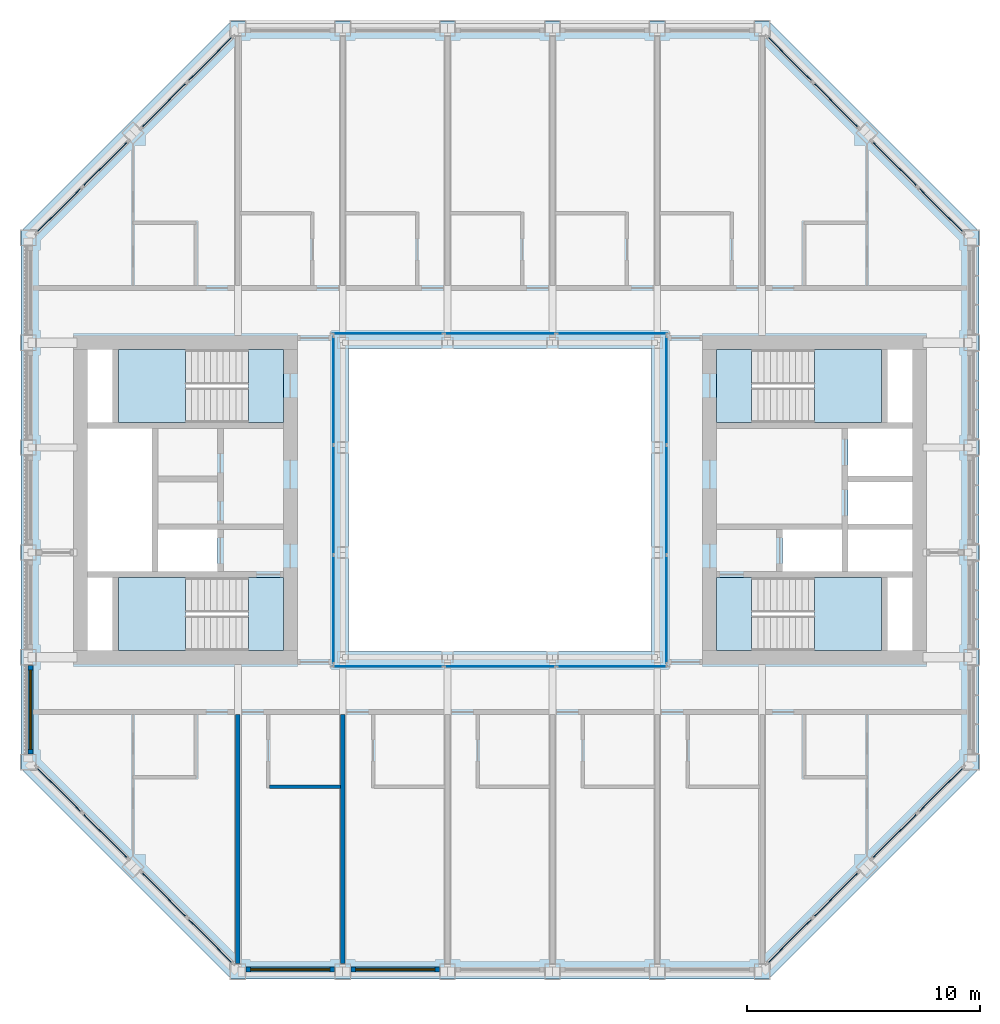
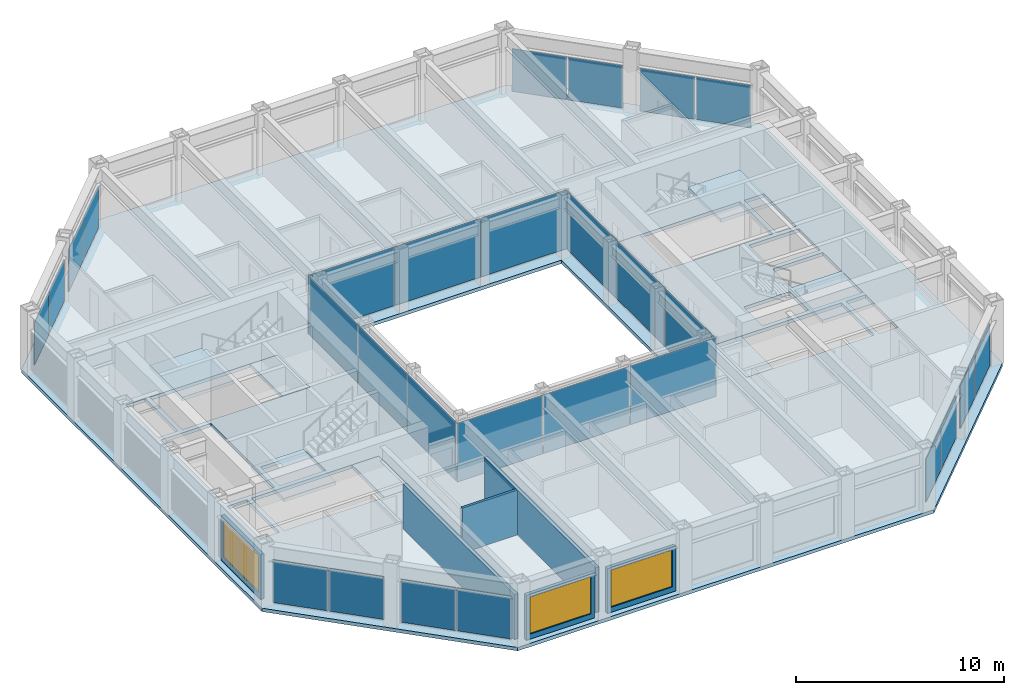
# One storey, part 8 of 18: 28 plates, 9 slabs, 6 walls, 3 windows, 3 openings, 16 elements without a shape of their own.
"""IFC4 building model written with IfcOpenShell, lengths in metres."""

import ifcopenshell
import ifcopenshell.guid

model = None  # the IFC model being written
_history = None  # IfcOwnerHistory: only IFC2X3 demands one
_inside = {}  # id of a spatial element -> (the spatial element, [elements in it])
_under = {}  # id of a project, library or spatial element -> (it, [spatial elements below it])
_declared = {}  # id of a project -> (the project, [libraries it declares])
_typed = {}  # id of a type object -> (the type object, [elements of that type])
_made_of = {}  # id of a material, layer set ... -> (it, [elements and type objects made of it])


def new_model(schema):
    """Start an empty IFC model of exactly this schema.

    Asked for "IFC4X3", IfcOpenShell would pick the latest addendum, in which some entities
    have other attributes; the version numbers below select the first issue.
    IFC2X3 requires an IfcOwnerHistory on every rooted entity: one is made here for all.
    """
    global model, _history
    if schema == "IFC4X3":
        model = ifcopenshell.file(schema_version=(4, 3, 0, 0))
    else:
        model = ifcopenshell.file(schema=schema)
    _inside.clear()
    _under.clear()
    _declared.clear()
    _typed.clear()
    _made_of.clear()
    _history = None
    if model.schema == "IFC2X3":
        org = make("IfcOrganization", Name="unknown")
        user = make(
            "IfcPersonAndOrganization",
            ThePerson=make("IfcPerson", FamilyName="unknown"),
            TheOrganization=org,
        )
        app = make(
            "IfcApplication",
            ApplicationDeveloper=org,
            Version="unknown",
            ApplicationFullName="unknown",
            ApplicationIdentifier="unknown",
        )
        _history = make(
            "IfcOwnerHistory",
            OwningUser=user,
            OwningApplication=app,
            ChangeAction="ADDED",
            CreationDate=0,
        )
    return model


def make(cls, **values):
    """One entity of the class cls with the attributes given. An attribute that is None is left unset."""
    return model.create_entity(
        cls, **{name: value for name, value in values.items() if value is not None}
    )


def rooted(cls, **values):
    """An entity with a GlobalId (a new one), such as an element, a storey or a relation."""
    return make(cls, GlobalId=ifcopenshell.guid.new(), OwnerHistory=_history, **values)


def si_unit(unit_type, name, prefix=None):
    """IfcSIUnit, for example si_unit("LENGTHUNIT", "METRE", prefix="MILLI")."""
    return make("IfcSIUnit", UnitType=unit_type, Prefix=prefix, Name=name)


def assignment(units):
    """IfcUnitAssignment: the units of a project."""
    return None if units is None else make("IfcUnitAssignment", Units=units)


def point(xyz):
    """IfcCartesianPoint."""
    return None if xyz is None else make("IfcCartesianPoint", Coordinates=xyz)


def direction(xyz):
    """IfcDirection."""
    return None if xyz is None else make("IfcDirection", DirectionRatios=xyz)


def frame(location, z_axis=None, x_axis=None):
    """IfcAxis2Placement3D, a coordinate frame: its origin and axes. An axis left out is left unset."""
    return make(
        "IfcAxis2Placement3D",
        Location=point(location),
        Axis=direction(z_axis),
        RefDirection=direction(x_axis),
    )


def frame_2d(location, x_axis=None):
    """IfcAxis2Placement2D, a coordinate frame in the plane: its origin and x axis."""
    return make(
        "IfcAxis2Placement2D", Location=point(location), RefDirection=direction(x_axis)
    )


def origin():
    """The frame at (0, 0, 0) with its axes left unset."""
    return frame((0.0, 0.0, 0.0))


def origin_2d():
    """The frame at (0, 0) in the plane with its x axis left unset."""
    return frame_2d((0.0, 0.0))


def place(relative_to, where):
    """IfcLocalPlacement: puts the frame where relative to a parent placement (None: the world)."""
    return make(
        "IfcLocalPlacement", PlacementRelTo=relative_to, RelativePlacement=where
    )


def context(
    kind, dimensions, precision=None, world=None, true_north=None, identifier=None
):
    """IfcGeometricRepresentationContext, for example the 3D "Model" context."""
    return make(
        "IfcGeometricRepresentationContext",
        ContextIdentifier=identifier,
        ContextType=kind,
        CoordinateSpaceDimension=dimensions,
        Precision=precision,
        WorldCoordinateSystem=world,
        TrueNorth=true_north,
    )


def subcontext(parent, identifier, kind, view, scale=None):
    """IfcGeometricRepresentationSubContext, for example "Body" below "Model"."""
    return make(
        "IfcGeometricRepresentationSubContext",
        ContextIdentifier=identifier,
        ContextType=kind,
        ParentContext=parent,
        TargetScale=scale,
        TargetView=view,
    )


def project(units=None, contexts=None):
    """IfcProject with its units and contexts."""
    return rooted(
        "IfcProject",
        Name="project",
        RepresentationContexts=contexts,
        UnitsInContext=assignment(units),
    )


def spatial(cls, under=None, at=None, **own):
    """A site, building, storey or space (cls), placed at a placement, below another one or the project."""
    s = rooted(cls, ObjectPlacement=at, **own)
    if under is not None:
        _under.setdefault(under.id(), (under, []))[1].append(s)
    return s


def polyline(points):
    """IfcPolyline through the points."""
    return make("IfcPolyline", Points=[point(p) for p in points])


def profile(cls, at=None, kind="AREA", **sizes):
    """A parametric profile (cls). Its sizes go by their IFC names, for example OverallWidth=200.0."""
    return make(cls, ProfileType=kind, Position=at, **sizes)


def rectangle(**sizes):
    """IfcRectangleProfileDef."""
    return profile("IfcRectangleProfileDef", **sizes)


def outline(outer, holes=None, kind="AREA"):
    """IfcArbitraryClosedProfileDef: a profile drawn as a closed curve; with holes, ...WithVoids."""
    if holes is None:
        return make("IfcArbitraryClosedProfileDef", ProfileType=kind, OuterCurve=outer)
    return make(
        "IfcArbitraryProfileDefWithVoids",
        ProfileType=kind,
        OuterCurve=outer,
        InnerCurves=holes,
    )


def extrude(swept, where, along, depth):
    """IfcExtrudedAreaSolid: the profile swept, set in the frame where, extruded along a direction by depth."""
    return make(
        "IfcExtrudedAreaSolid",
        SweptArea=swept,
        Position=where,
        ExtrudedDirection=direction(along),
        Depth=depth,
    )


def shape(context_of_items, identifier, shape_type, items):
    """IfcShapeRepresentation: the items that make up one representation, for example the "Body"."""
    return make(
        "IfcShapeRepresentation",
        ContextOfItems=context_of_items,
        RepresentationIdentifier=identifier,
        RepresentationType=shape_type,
        Items=items,
    )


def material(Name=None, Category=None):
    """IfcMaterial."""
    return make("IfcMaterial", Name=Name, Category=Category)


def layer(
    of_material, thickness, ventilated=None, Name=None, Category=None, Priority=None
):
    """IfcMaterialLayer: one layer of a wall or slab, of a material (None: an air gap)."""
    return make(
        "IfcMaterialLayer",
        Material=of_material,
        LayerThickness=thickness,
        IsVentilated=ventilated,
        Name=Name,
        Category=Category,
        Priority=Priority,
    )


def layer_set(layers, Name=None):
    """IfcMaterialLayerSet."""
    return make("IfcMaterialLayerSet", MaterialLayers=layers, LayerSetName=Name)


def made_of(thing, what):
    """Note that an element or type object is made of a material, layer set ...; save() writes the relation."""
    if what is not None:
        _made_of.setdefault(what.id(), (what, []))[1].append(thing)
    return thing


def type_object(cls, material=None, **own):
    """A type object (cls), such as IfcWallType, which elements share."""
    return made_of(rooted(cls, **own), material)


def element(
    cls,
    number,
    at=None,
    inside=None,
    cuts=None,
    type_object=None,
    material=None,
    context=None,
    identifier="Body",
    shape_type=None,
    held_by="IfcProductDefinitionShape",
    body=None,
    shapes=None,
    **own,
):
    """One element of the class cls, such as IfcWall. Its Tag is "e" and its number.

    at: its placement. inside: the storey or other place that contains it. cuts: it is an
    opening in that element (IfcRelVoidsElement). A single representation is given by context,
    identifier, shape_type and body (its items); several are given by shapes. held_by: the class
    of the entity that holds the representations. save() writes the other relations.
    """
    e = rooted(cls, Tag="e%d" % number, ObjectPlacement=at, **own)
    if body is not None:
        shapes = [shape(context, identifier, shape_type, body)]
    if shapes is not None:
        e.Representation = make(held_by, Representations=shapes)
    if inside is not None:
        _inside.setdefault(inside.id(), (inside, []))[1].append(e)
    if cuts is not None:
        rooted(
            "IfcRelVoidsElement", RelatingBuildingElement=cuts, RelatedOpeningElement=e
        )
    if type_object is not None:
        _typed.setdefault(type_object.id(), (type_object, []))[1].append(e)
    return made_of(e, material)


def fill(opening, filler):
    """IfcRelFillsElement: the door or window that sits in an opening."""
    return rooted(
        "IfcRelFillsElement",
        RelatingOpeningElement=opening,
        RelatedBuildingElement=filler,
    )


def aggregate(whole, parts):
    """IfcRelAggregates: a whole, such as a stair, and the parts it consists of."""
    return rooted("IfcRelAggregates", RelatingObject=whole, RelatedObjects=parts)


def save(model, path):
    """Write the relations noted so far, then the file.

    IfcRelAggregates (storeys below a building ...), IfcRelContainedInSpatialStructure (elements
    in a storey), IfcRelDefinesByType, IfcRelAssociatesMaterial and IfcRelDeclares: one each for
    every whole, place, type object, material and project.
    """
    for whole, parts in _under.values():
        aggregate(whole, parts)
    for where, things in _inside.values():
        rooted(
            "IfcRelContainedInSpatialStructure",
            RelatedElements=things,
            RelatingStructure=where,
        )
    for kind, things in _typed.values():
        rooted("IfcRelDefinesByType", RelatedObjects=things, RelatingType=kind)
    for what, things in _made_of.values():
        rooted("IfcRelAssociatesMaterial", RelatedObjects=things, RelatingMaterial=what)
    for by, libraries in _declared.values():
        rooted("IfcRelDeclares", RelatingContext=by, RelatedDefinitions=libraries)
    model.write(path)


model = new_model("IFC4")

# Units and contexts
model_context = context("Model", 3, precision=1e-05, world=origin(), true_north=direction((0.0, 1.0)))
body_context = subcontext(model_context, "Body", "Model", "MODEL_VIEW")
ifc_project = project(units=[si_unit("LENGTHUNIT", "METRE"), si_unit("AREAUNIT", "SQUARE_METRE"), si_unit("VOLUMEUNIT", "CUBIC_METRE"), si_unit("PLANEANGLEUNIT", "RADIAN"), si_unit("MASSUNIT", "GRAM", prefix="KILO")], contexts=[model_context])

# Site, building, storey
site_placement = place(None, origin())
site = spatial("IfcSite", under=ifc_project, at=site_placement, CompositionType="ELEMENT")
building_placement = place(site_placement, origin())
building = spatial("IfcBuilding", under=site, at=building_placement, Name="Msasa Ring Tower", CompositionType="ELEMENT")
storey_placement = place(building_placement, frame((0.0, 0.0, 204.550048828125)))
storey = spatial("IfcBuildingStorey", under=building, at=storey_placement, Name="L53", CompositionType="ELEMENT", Elevation=204.550048828125)

# Curtain wall, plates
ifc_material_1 = material(Name="Aluminium curtain wall with clear glass", Category="aluminium")
curtain_wall_type_1 = type_object("IfcCurtainWallType", Name="CW-C CHAMFER CORNER CURTAIN WALL", PredefinedType="NOTDEFINED", material=ifc_material_1)
curtain_wall_1_placement = place(storey_placement, origin())
curtain_wall_1 = element("IfcCurtainWall", 1, at=curtain_wall_1_placement, inside=storey, type_object=curtain_wall_type_1, Name="Chamfer corner curtain wall SE L53", PredefinedType="NOTDEFINED")
ifc_material_2 = material(Name="Clear laminated insulating glass unit", Category="glass")
ifc_layer_1 = layer(ifc_material_2, 0.031982421875)
ifc_layer_set_1 = layer_set([ifc_layer_1], Name="CW-C GLASS PANEL 32")
plate_type_1 = type_object("IfcPlateType", Name="CW-C GLASS PANEL 32", PredefinedType="CURTAIN_PANEL", material=ifc_layer_set_1)
plate_1_placement = place(storey_placement, frame((12.44140625, -18.917236328125, 0.06494140625), z_axis=(0.0, 0.0, 1.0), x_axis=(0.707106781187, 0.707106781187, 0.0)))
plate_1 = element("IfcPlate", 2, at=plate_1_placement, type_object=plate_type_1, Name="CW-C panel 1.1", PredefinedType="CURTAIN_PANEL", context=body_context, shape_type="SweptSolid", body=[
    extrude(rectangle(XDim=2.7294921875, YDim=0.031982421875, at=origin_2d()), origin(), (0.0, 0.0, 1.0), 2.4990234375),
])
plate_2_placement = place(storey_placement, frame((14.417236328125, -16.94140625, 0.06494140625), z_axis=(0.0, 0.0, 1.0), x_axis=(0.707106781187, 0.707106781187, 0.0)))
plate_2 = element("IfcPlate", 3, at=plate_2_placement, type_object=plate_type_1, Name="CW-C panel 2.1", PredefinedType="CURTAIN_PANEL", context=body_context, shape_type="SweptSolid", body=[
    extrude(rectangle(XDim=2.7294921875, YDim=0.031982421875, at=origin_2d()), origin(), (0.0, 0.0, 1.0), 2.4990234375),
])
aggregate(curtain_wall_1, [plate_1, plate_2])

curtain_wall_2_placement = place(storey_placement, origin())
curtain_wall_2 = element("IfcCurtainWall", 4, at=curtain_wall_2_placement, inside=storey, type_object=curtain_wall_type_1, Name="Chamfer corner curtain wall SE L53", PredefinedType="NOTDEFINED")
plate_3_placement = place(storey_placement, frame((16.94140625, -14.417236328125, 0.06494140625), z_axis=(0.0, 0.0, 1.0), x_axis=(0.707106781187, 0.707106781187, 0.0)))
plate_3 = element("IfcPlate", 5, at=plate_3_placement, type_object=plate_type_1, Name="CW-C panel 1.1", PredefinedType="CURTAIN_PANEL", context=body_context, shape_type="SweptSolid", body=[
    extrude(rectangle(XDim=2.7294921875, YDim=0.031982421875, at=origin_2d()), origin(), (0.0, 0.0, 1.0), 2.4990234375),
])
plate_4_placement = place(storey_placement, frame((18.917236328125, -12.44140625, 0.06494140625), z_axis=(0.0, 0.0, 1.0), x_axis=(0.707106781187, 0.707106781187, 0.0)))
plate_4 = element("IfcPlate", 6, at=plate_4_placement, type_object=plate_type_1, Name="CW-C panel 2.1", PredefinedType="CURTAIN_PANEL", context=body_context, shape_type="SweptSolid", body=[
    extrude(rectangle(XDim=2.7294921875, YDim=0.031982421875, at=origin_2d()), origin(), (0.0, 0.0, 1.0), 2.4990234375),
])
aggregate(curtain_wall_2, [plate_3, plate_4])

curtain_wall_3_placement = place(storey_placement, origin())
curtain_wall_3 = element("IfcCurtainWall", 7, at=curtain_wall_3_placement, inside=storey, type_object=curtain_wall_type_1, Name="Chamfer corner curtain wall NE L53", PredefinedType="NOTDEFINED")
plate_5_placement = place(storey_placement, frame((14.417236328125, 16.94140625, 0.06494140625), z_axis=(0.0, 0.0, 1.0), x_axis=(-0.707106781187, 0.707106781187, 0.0)))
plate_5 = element("IfcPlate", 8, at=plate_5_placement, type_object=plate_type_1, Name="CW-C panel 1.1", PredefinedType="CURTAIN_PANEL", context=body_context, shape_type="SweptSolid", body=[
    extrude(rectangle(XDim=2.7294921875, YDim=0.031982421875, at=origin_2d()), origin(), (0.0, 0.0, 1.0), 2.4990234375),
])
plate_6_placement = place(storey_placement, frame((12.44140625, 18.917236328125, 0.06494140625), z_axis=(0.0, 0.0, 1.0), x_axis=(-0.707106781187, 0.707106781187, 0.0)))
plate_6 = element("IfcPlate", 9, at=plate_6_placement, type_object=plate_type_1, Name="CW-C panel 2.1", PredefinedType="CURTAIN_PANEL", context=body_context, shape_type="SweptSolid", body=[
    extrude(rectangle(XDim=2.7294921875, YDim=0.031982421875, at=origin_2d()), origin(), (0.0, 0.0, 1.0), 2.4990234375),
])
aggregate(curtain_wall_3, [plate_5, plate_6])

curtain_wall_4_placement = place(storey_placement, origin())
curtain_wall_4 = element("IfcCurtainWall", 10, at=curtain_wall_4_placement, inside=storey, type_object=curtain_wall_type_1, Name="Chamfer corner curtain wall NE L53", PredefinedType="NOTDEFINED")
plate_7_placement = place(storey_placement, frame((18.917236328125, 12.44140625, 0.06494140625), z_axis=(0.0, 0.0, 1.0), x_axis=(-0.707106781187, 0.707106781187, 0.0)))
plate_7 = element("IfcPlate", 11, at=plate_7_placement, type_object=plate_type_1, Name="CW-C panel 1.1", PredefinedType="CURTAIN_PANEL", context=body_context, shape_type="SweptSolid", body=[
    extrude(rectangle(XDim=2.7294921875, YDim=0.031982421875, at=origin_2d()), origin(), (0.0, 0.0, 1.0), 2.4990234375),
])
plate_8_placement = place(storey_placement, frame((16.94140625, 14.417236328125, 0.06494140625), z_axis=(0.0, 0.0, 1.0), x_axis=(-0.707106781187, 0.707106781187, 0.0)))
plate_8 = element("IfcPlate", 12, at=plate_8_placement, type_object=plate_type_1, Name="CW-C panel 2.1", PredefinedType="CURTAIN_PANEL", context=body_context, shape_type="SweptSolid", body=[
    extrude(rectangle(XDim=2.7294921875, YDim=0.031982421875, at=origin_2d()), origin(), (0.0, 0.0, 1.0), 2.4990234375),
])
aggregate(curtain_wall_4, [plate_7, plate_8])

curtain_wall_5_placement = place(storey_placement, origin())
curtain_wall_5 = element("IfcCurtainWall", 13, at=curtain_wall_5_placement, inside=storey, type_object=curtain_wall_type_1, Name="Chamfer corner curtain wall NW L53", PredefinedType="NOTDEFINED")
plate_9_placement = place(storey_placement, frame((-16.94140625, 14.417236328125, 0.06494140625), z_axis=(0.0, 0.0, 1.0), x_axis=(-0.707106781187, -0.707106781187, 0.0)))
plate_9 = element("IfcPlate", 14, at=plate_9_placement, type_object=plate_type_1, Name="CW-C panel 1.1", PredefinedType="CURTAIN_PANEL", context=body_context, shape_type="SweptSolid", body=[
    extrude(rectangle(XDim=2.7294921875, YDim=0.031982421875, at=origin_2d()), origin(), (0.0, 0.0, 1.0), 2.4990234375),
])
plate_10_placement = place(storey_placement, frame((-18.917236328125, 12.44140625, 0.06494140625), z_axis=(0.0, 0.0, 1.0), x_axis=(-0.707106781187, -0.707106781187, 0.0)))
plate_10 = element("IfcPlate", 15, at=plate_10_placement, type_object=plate_type_1, Name="CW-C panel 2.1", PredefinedType="CURTAIN_PANEL", context=body_context, shape_type="SweptSolid", body=[
    extrude(rectangle(XDim=2.7294921875, YDim=0.031982421875, at=origin_2d()), origin(), (0.0, 0.0, 1.0), 2.4990234375),
])
aggregate(curtain_wall_5, [plate_9, plate_10])

curtain_wall_6_placement = place(storey_placement, origin())
curtain_wall_6 = element("IfcCurtainWall", 16, at=curtain_wall_6_placement, inside=storey, type_object=curtain_wall_type_1, Name="Chamfer corner curtain wall NW L53", PredefinedType="NOTDEFINED")
plate_11_placement = place(storey_placement, frame((-12.44140625, 18.917236328125, 0.06494140625), z_axis=(0.0, 0.0, 1.0), x_axis=(-0.707106781187, -0.707106781187, 0.0)))
plate_11 = element("IfcPlate", 17, at=plate_11_placement, type_object=plate_type_1, Name="CW-C panel 1.1", PredefinedType="CURTAIN_PANEL", context=body_context, shape_type="SweptSolid", body=[
    extrude(rectangle(XDim=2.7294921875, YDim=0.031982421875, at=origin_2d()), origin(), (0.0, 0.0, 1.0), 2.4990234375),
])
plate_12_placement = place(storey_placement, frame((-14.417236328125, 16.94140625, 0.06494140625), z_axis=(0.0, 0.0, 1.0), x_axis=(-0.707106781187, -0.707106781187, 0.0)))
plate_12 = element("IfcPlate", 18, at=plate_12_placement, type_object=plate_type_1, Name="CW-C panel 2.1", PredefinedType="CURTAIN_PANEL", context=body_context, shape_type="SweptSolid", body=[
    extrude(rectangle(XDim=2.7294921875, YDim=0.031982421875, at=origin_2d()), origin(), (0.0, 0.0, 1.0), 2.4990234375),
])
aggregate(curtain_wall_6, [plate_11, plate_12])

curtain_wall_7_placement = place(storey_placement, origin())
curtain_wall_7 = element("IfcCurtainWall", 19, at=curtain_wall_7_placement, inside=storey, type_object=curtain_wall_type_1, Name="Chamfer corner curtain wall SW L53", PredefinedType="NOTDEFINED")
plate_13_placement = place(storey_placement, frame((-18.917236328125, -12.44140625, 0.06494140625), z_axis=(0.0, 0.0, 1.0), x_axis=(0.707106781187, -0.707106781187, 0.0)))
plate_13 = element("IfcPlate", 20, at=plate_13_placement, type_object=plate_type_1, Name="CW-C panel 1.1", PredefinedType="CURTAIN_PANEL", context=body_context, shape_type="SweptSolid", body=[
    extrude(rectangle(XDim=2.7294921875, YDim=0.031982421875, at=origin_2d()), origin(), (0.0, 0.0, 1.0), 2.4990234375),
])
plate_14_placement = place(storey_placement, frame((-16.94140625, -14.417236328125, 0.06494140625), z_axis=(0.0, 0.0, 1.0), x_axis=(0.707106781187, -0.707106781187, 0.0)))
plate_14 = element("IfcPlate", 21, at=plate_14_placement, type_object=plate_type_1, Name="CW-C panel 2.1", PredefinedType="CURTAIN_PANEL", context=body_context, shape_type="SweptSolid", body=[
    extrude(rectangle(XDim=2.7294921875, YDim=0.031982421875, at=origin_2d()), origin(), (0.0, 0.0, 1.0), 2.4990234375),
])
aggregate(curtain_wall_7, [plate_13, plate_14])

curtain_wall_8_placement = place(storey_placement, origin())
curtain_wall_8 = element("IfcCurtainWall", 22, at=curtain_wall_8_placement, inside=storey, type_object=curtain_wall_type_1, Name="Chamfer corner curtain wall SW L53", PredefinedType="NOTDEFINED")
plate_15_placement = place(storey_placement, frame((-14.417236328125, -16.94140625, 0.06494140625), z_axis=(0.0, 0.0, 1.0), x_axis=(0.707106781187, -0.707106781187, 0.0)))
plate_15 = element("IfcPlate", 23, at=plate_15_placement, type_object=plate_type_1, Name="CW-C panel 1.1", PredefinedType="CURTAIN_PANEL", context=body_context, shape_type="SweptSolid", body=[
    extrude(rectangle(XDim=2.7294921875, YDim=0.031982421875, at=origin_2d()), origin(), (0.0, 0.0, 1.0), 2.4990234375),
])
plate_16_placement = place(storey_placement, frame((-12.44140625, -18.917236328125, 0.06494140625), z_axis=(0.0, 0.0, 1.0), x_axis=(0.707106781187, -0.707106781187, 0.0)))
plate_16 = element("IfcPlate", 24, at=plate_16_placement, type_object=plate_type_1, Name="CW-C panel 2.1", PredefinedType="CURTAIN_PANEL", context=body_context, shape_type="SweptSolid", body=[
    extrude(rectangle(XDim=2.7294921875, YDim=0.031982421875, at=origin_2d()), origin(), (0.0, 0.0, 1.0), 2.4990234375),
])
aggregate(curtain_wall_8, [plate_15, plate_16])

ifc_material_3 = material(Name="Aluminium curtain wall with clear glass", Category="aluminium")
curtain_wall_type_2 = type_object("IfcCurtainWallType", Name="CW-W LIGHT WELL CURTAIN WALL", PredefinedType="NOTDEFINED", material=ifc_material_3)
curtain_wall_9_placement = place(storey_placement, origin())
curtain_wall_9 = element("IfcCurtainWall", 25, at=curtain_wall_9_placement, inside=storey, type_object=curtain_wall_type_2, Name="Light well curtain wall N L53", PredefinedType="NOTDEFINED")
ifc_material_4 = material(Name="Clear laminated insulating glass unit", Category="glass")
ifc_layer_2 = layer(ifc_material_4, 0.028076171875)
ifc_layer_set_2 = layer_set([ifc_layer_2], Name="CW-W GLASS PANEL 28")
plate_type_2 = type_object("IfcPlateType", Name="CW-W GLASS PANEL 28", PredefinedType="CURTAIN_PANEL", material=ifc_layer_set_2)
plate_17_placement = place(storey_placement, frame((-4.804931640625, 7.14990234375, 0.06005859375), z_axis=(0.0, 0.0, 1.0), x_axis=(1.0, 0.0, 0.0)))
plate_17 = element("IfcPlate", 26, at=plate_17_placement, type_object=plate_type_2, Name="CW-W panel 1.1", PredefinedType="CURTAIN_PANEL", context=body_context, shape_type="SweptSolid", body=[
    extrude(rectangle(XDim=4.72998046875, YDim=0.028076171875, at=origin_2d()), origin(), (0.0, 0.0, 1.0), 3.429931640625),
])
plate_18_placement = place(storey_placement, frame((0.0, 7.14990234375, 0.06005859375), z_axis=(0.0, 0.0, 1.0), x_axis=(1.0, 0.0, 0.0)))
plate_18 = element("IfcPlate", 27, at=plate_18_placement, type_object=plate_type_2, Name="CW-W panel 2.1", PredefinedType="CURTAIN_PANEL", context=body_context, shape_type="SweptSolid", body=[
    extrude(rectangle(XDim=4.760009765625, YDim=0.028076171875, at=origin_2d()), origin(), (0.0, 0.0, 1.0), 3.429931640625),
])
plate_19_placement = place(storey_placement, frame((4.804931640625, 7.14990234375, 0.06005859375), z_axis=(0.0, 0.0, 1.0), x_axis=(1.0, 0.0, 0.0)))
plate_19 = element("IfcPlate", 28, at=plate_19_placement, type_object=plate_type_2, Name="CW-W panel 3.1", PredefinedType="CURTAIN_PANEL", context=body_context, shape_type="SweptSolid", body=[
    extrude(rectangle(XDim=4.72998046875, YDim=0.028076171875, at=origin_2d()), origin(), (0.0, 0.0, 1.0), 3.429931640625),
])
aggregate(curtain_wall_9, [plate_17, plate_18, plate_19])

curtain_wall_10_placement = place(storey_placement, origin())
curtain_wall_10 = element("IfcCurtainWall", 29, at=curtain_wall_10_placement, inside=storey, type_object=curtain_wall_type_2, Name="Light well curtain wall S L53", PredefinedType="NOTDEFINED")
plate_20_placement = place(storey_placement, frame((-4.804931640625, -7.14990234375, 0.06005859375), z_axis=(0.0, 0.0, 1.0), x_axis=(1.0, 0.0, 0.0)))
plate_20 = element("IfcPlate", 30, at=plate_20_placement, type_object=plate_type_2, Name="CW-W panel 1.1", PredefinedType="CURTAIN_PANEL", context=body_context, shape_type="SweptSolid", body=[
    extrude(rectangle(XDim=4.72998046875, YDim=0.028076171875, at=origin_2d()), origin(), (0.0, 0.0, 1.0), 3.429931640625),
])
plate_21_placement = place(storey_placement, frame((0.0, -7.14990234375, 0.06005859375), z_axis=(0.0, 0.0, 1.0), x_axis=(1.0, 0.0, 0.0)))
plate_21 = element("IfcPlate", 31, at=plate_21_placement, type_object=plate_type_2, Name="CW-W panel 2.1", PredefinedType="CURTAIN_PANEL", context=body_context, shape_type="SweptSolid", body=[
    extrude(rectangle(XDim=4.760009765625, YDim=0.028076171875, at=origin_2d()), origin(), (0.0, 0.0, 1.0), 3.429931640625),
])
plate_22_placement = place(storey_placement, frame((4.804931640625, -7.14990234375, 0.06005859375), z_axis=(0.0, 0.0, 1.0), x_axis=(1.0, 0.0, 0.0)))
plate_22 = element("IfcPlate", 32, at=plate_22_placement, type_object=plate_type_2, Name="CW-W panel 3.1", PredefinedType="CURTAIN_PANEL", context=body_context, shape_type="SweptSolid", body=[
    extrude(rectangle(XDim=4.72998046875, YDim=0.028076171875, at=origin_2d()), origin(), (0.0, 0.0, 1.0), 3.429931640625),
])
aggregate(curtain_wall_10, [plate_20, plate_21, plate_22])

curtain_wall_11_placement = place(storey_placement, origin())
curtain_wall_11 = element("IfcCurtainWall", 33, at=curtain_wall_11_placement, inside=storey, type_object=curtain_wall_type_2, Name="Light well curtain wall E L53", PredefinedType="NOTDEFINED")
plate_23_placement = place(storey_placement, frame((7.14990234375, -4.6982421875, 0.06005859375), z_axis=(0.0, 0.0, 1.0), x_axis=(0.0, 1.0, 0.0)))
plate_23 = element("IfcPlate", 34, at=plate_23_placement, type_object=plate_type_2, Name="CW-W panel 1.1", PredefinedType="CURTAIN_PANEL", context=body_context, shape_type="SweptSolid", body=[
    extrude(rectangle(XDim=4.623291015625, YDim=0.028076171875, at=origin_2d()), origin(), (0.0, 0.0, 1.0), 3.429931640625),
])
plate_24_placement = place(storey_placement, frame((7.14990234375, 0.0, 0.06005859375), z_axis=(0.0, 0.0, 1.0), x_axis=(0.0, 1.0, 0.0)))
plate_24 = element("IfcPlate", 35, at=plate_24_placement, type_object=plate_type_2, Name="CW-W panel 2.1", PredefinedType="CURTAIN_PANEL", context=body_context, shape_type="SweptSolid", body=[
    extrude(rectangle(XDim=4.6533203125, YDim=0.028076171875, at=origin_2d()), origin(), (0.0, 0.0, 1.0), 3.429931640625),
])
plate_25_placement = place(storey_placement, frame((7.14990234375, 4.6982421875, 0.06005859375), z_axis=(0.0, 0.0, 1.0), x_axis=(0.0, 1.0, 0.0)))
plate_25 = element("IfcPlate", 36, at=plate_25_placement, type_object=plate_type_2, Name="CW-W panel 3.1", PredefinedType="CURTAIN_PANEL", context=body_context, shape_type="SweptSolid", body=[
    extrude(rectangle(XDim=4.623291015625, YDim=0.028076171875, at=origin_2d()), origin(), (0.0, 0.0, 1.0), 3.429931640625),
])
aggregate(curtain_wall_11, [plate_23, plate_24, plate_25])

curtain_wall_12_placement = place(storey_placement, origin())
curtain_wall_12 = element("IfcCurtainWall", 37, at=curtain_wall_12_placement, inside=storey, type_object=curtain_wall_type_2, Name="Light well curtain wall W L53", PredefinedType="NOTDEFINED")
plate_26_placement = place(storey_placement, frame((-7.14990234375, -4.6982421875, 0.06005859375), z_axis=(0.0, 0.0, 1.0), x_axis=(0.0, 1.0, 0.0)))
plate_26 = element("IfcPlate", 38, at=plate_26_placement, type_object=plate_type_2, Name="CW-W panel 1.1", PredefinedType="CURTAIN_PANEL", context=body_context, shape_type="SweptSolid", body=[
    extrude(rectangle(XDim=4.623291015625, YDim=0.028076171875, at=origin_2d()), origin(), (0.0, 0.0, 1.0), 3.429931640625),
])
plate_27_placement = place(storey_placement, frame((-7.14990234375, 0.0, 0.06005859375), z_axis=(0.0, 0.0, 1.0), x_axis=(0.0, 1.0, 0.0)))
plate_27 = element("IfcPlate", 39, at=plate_27_placement, type_object=plate_type_2, Name="CW-W panel 2.1", PredefinedType="CURTAIN_PANEL", context=body_context, shape_type="SweptSolid", body=[
    extrude(rectangle(XDim=4.6533203125, YDim=0.028076171875, at=origin_2d()), origin(), (0.0, 0.0, 1.0), 3.429931640625),
])
plate_28_placement = place(storey_placement, frame((-7.14990234375, 4.6982421875, 0.06005859375), z_axis=(0.0, 0.0, 1.0), x_axis=(0.0, 1.0, 0.0)))
plate_28 = element("IfcPlate", 40, at=plate_28_placement, type_object=plate_type_2, Name="CW-W panel 3.1", PredefinedType="CURTAIN_PANEL", context=body_context, shape_type="SweptSolid", body=[
    extrude(rectangle(XDim=4.623291015625, YDim=0.028076171875, at=origin_2d()), origin(), (0.0, 0.0, 1.0), 3.429931640625),
])
aggregate(curtain_wall_12, [plate_26, plate_27, plate_28])

# Stair, slabs
ifc_material_5 = material(Name="Concrete C40/50", Category="concrete")
stair_type = type_object("IfcStairType", Name="STC CORE STAIR 22 RISERS 170.5", PredefinedType="HALF_TURN_STAIR", material=ifc_material_5)
stair_1_placement = place(storey_placement, origin())
stair_1 = element("IfcStair", 41, at=stair_1_placement, inside=storey, type_object=stair_type, Name="Core stair SEA L53", PredefinedType="HALF_TURN_STAIR")
ifc_material_6 = material(Name="Concrete C40/50", Category="concrete")
ifc_layer_3 = layer(ifc_material_6, 0.199951171875)
ifc_layer_set_3 = layer_set([ifc_layer_3], Name="LD1 CORE STAIR LANDING 200")
slab_type_1 = type_object("IfcSlabType", Name="LD1 CORE STAIR LANDING 200", PredefinedType="LANDING", material=ifc_layer_set_3)
slab_1_placement = place(storey_placement, frame((0.0, 0.0, -0.199951171875)))
slab_1 = element("IfcSlab", 42, at=slab_1_placement, type_object=slab_type_1, Name="SEA landing 1", PredefinedType="LANDING", context=body_context, shape_type="SweptSolid", body=[
    extrude(outline(polyline([(9.300048828125, -6.449951171875), (10.800048828125, -6.449951171875), (10.800048828125, -3.324951171875), (9.300048828125, -3.324951171875), (9.300048828125, -6.449951171875)])), origin(), (0.0, 0.0, 1.0), 0.199951171875),
])
slab_2_placement = place(storey_placement, frame((0.0, 0.0, 1.675048828125)))
slab_2 = element("IfcSlab", 43, at=slab_2_placement, type_object=slab_type_1, Name="SEA landing 2", PredefinedType="LANDING", context=body_context, shape_type="SweptSolid", body=[
    extrude(outline(polyline([(13.5, -6.449951171875), (16.375, -6.449951171875), (16.375, -3.324951171875), (13.5, -3.324951171875), (13.5, -6.449951171875)])), origin(), (0.0, 0.0, 1.0), 0.199951171875),
])
aggregate(stair_1, [slab_1, slab_2])

stair_2_placement = place(storey_placement, origin())
stair_2 = element("IfcStair", 44, at=stair_2_placement, inside=storey, type_object=stair_type, Name="Core stair SEB L53", PredefinedType="HALF_TURN_STAIR")
slab_3_placement = place(storey_placement, frame((0.0, 0.0, -0.199951171875)))
slab_3 = element("IfcSlab", 45, at=slab_3_placement, type_object=slab_type_1, Name="SEB landing 1", PredefinedType="LANDING", context=body_context, shape_type="SweptSolid", body=[
    extrude(outline(polyline([(9.300048828125, 3.324951171875), (10.800048828125, 3.324951171875), (10.800048828125, 6.449951171875), (9.300048828125, 6.449951171875), (9.300048828125, 3.324951171875)])), origin(), (0.0, 0.0, 1.0), 0.199951171875),
])
slab_4_placement = place(storey_placement, frame((0.0, 0.0, 1.675048828125)))
slab_4 = element("IfcSlab", 46, at=slab_4_placement, type_object=slab_type_1, Name="SEB landing 2", PredefinedType="LANDING", context=body_context, shape_type="SweptSolid", body=[
    extrude(outline(polyline([(13.5, 3.324951171875), (16.375, 3.324951171875), (16.375, 6.449951171875), (13.5, 6.449951171875), (13.5, 3.324951171875)])), origin(), (0.0, 0.0, 1.0), 0.199951171875),
])
aggregate(stair_2, [slab_3, slab_4])

stair_3_placement = place(storey_placement, origin())
stair_3 = element("IfcStair", 47, at=stair_3_placement, inside=storey, type_object=stair_type, Name="Core stair SWA L53", PredefinedType="HALF_TURN_STAIR")
slab_5_placement = place(storey_placement, frame((0.0, 0.0, -0.199951171875)))
slab_5 = element("IfcSlab", 48, at=slab_5_placement, type_object=slab_type_1, Name="SWA landing 1", PredefinedType="LANDING", context=body_context, shape_type="SweptSolid", body=[
    extrude(outline(polyline([(-10.800048828125, -6.449951171875), (-9.300048828125, -6.449951171875), (-9.300048828125, -3.324951171875), (-10.800048828125, -3.324951171875), (-10.800048828125, -6.449951171875)])), origin(), (0.0, 0.0, 1.0), 0.199951171875),
])
slab_6_placement = place(storey_placement, frame((0.0, 0.0, 1.675048828125)))
slab_6 = element("IfcSlab", 49, at=slab_6_placement, type_object=slab_type_1, Name="SWA landing 2", PredefinedType="LANDING", context=body_context, shape_type="SweptSolid", body=[
    extrude(outline(polyline([(-16.375, -6.449951171875), (-13.5, -6.449951171875), (-13.5, -3.324951171875), (-16.375, -3.324951171875), (-16.375, -6.449951171875)])), origin(), (0.0, 0.0, 1.0), 0.199951171875),
])
aggregate(stair_3, [slab_5, slab_6])

stair_4_placement = place(storey_placement, origin())
stair_4 = element("IfcStair", 50, at=stair_4_placement, inside=storey, type_object=stair_type, Name="Core stair SWB L53", PredefinedType="HALF_TURN_STAIR")
slab_7_placement = place(storey_placement, frame((0.0, 0.0, -0.199951171875)))
slab_7 = element("IfcSlab", 51, at=slab_7_placement, type_object=slab_type_1, Name="SWB landing 1", PredefinedType="LANDING", context=body_context, shape_type="SweptSolid", body=[
    extrude(outline(polyline([(-10.800048828125, 3.324951171875), (-9.300048828125, 3.324951171875), (-9.300048828125, 6.449951171875), (-10.800048828125, 6.449951171875), (-10.800048828125, 3.324951171875)])), origin(), (0.0, 0.0, 1.0), 0.199951171875),
])
slab_8_placement = place(storey_placement, frame((0.0, 0.0, 1.675048828125)))
slab_8 = element("IfcSlab", 52, at=slab_8_placement, type_object=slab_type_1, Name="SWB landing 2", PredefinedType="LANDING", context=body_context, shape_type="SweptSolid", body=[
    extrude(outline(polyline([(-16.375, 3.324951171875), (-13.5, 3.324951171875), (-13.5, 6.449951171875), (-16.375, 6.449951171875), (-16.375, 3.324951171875)])), origin(), (0.0, 0.0, 1.0), 0.199951171875),
])
aggregate(stair_4, [slab_7, slab_8])

# Slab
ifc_material_7 = material(Name="Concrete C40/50", Category="concrete")
ifc_layer_4 = layer(ifc_material_7, 0.199951171875)
ifc_layer_set_4 = layer_set([ifc_layer_4], Name="S8 SUITE FLOOR 200")
slab_type_2 = type_object("IfcSlabType", Name="S8 SUITE FLOOR 200", PredefinedType="FLOOR", material=ifc_layer_set_4)
slab_9_placement = place(storey_placement, frame((0.0, 0.0, -0.199951171875)))
element("IfcSlab", 53, at=slab_9_placement, inside=storey, type_object=slab_type_2, Name="Floor slab L53", PredefinedType="FLOOR", context=body_context, shape_type="SweptSolid", body=[
    extrude(outline(polyline([(-11.550048828125, -20.550048828125), (11.550048828125, -20.550048828125), (20.550048828125, -11.550048828125), (20.550048828125, 11.550048828125), (11.550048828125, 20.550048828125), (-11.550048828125, 20.550048828125), (-20.550048828125, 11.550048828125), (-20.550048828125, -11.550048828125), (-11.550048828125, -20.550048828125)]), holes=[polyline([(-6.5, -6.5), (6.5, -6.5), (6.5, 6.5), (-6.5, 6.5), (-6.5, -6.5)]), polyline([(9.300048828125, -6.449951171875), (16.375, -6.449951171875), (16.375, -3.324951171875), (9.300048828125, -3.324951171875), (9.300048828125, -6.449951171875)]), polyline([(9.300048828125, 3.324951171875), (16.375, 3.324951171875), (16.375, 6.449951171875), (9.300048828125, 6.449951171875), (9.300048828125, 3.324951171875)]), polyline([(12.125, -3.074951171875), (14.675048828125, -3.074951171875), (14.675048828125, -1.27490234375), (12.125, -1.27490234375), (12.125, -3.074951171875)]), polyline([(16.625, -6.449951171875), (17.699951171875, -6.449951171875), (17.699951171875, -3.324951171875), (16.625, -3.324951171875), (16.625, -6.449951171875)]), polyline([(16.625, 3.324951171875), (17.699951171875, 3.324951171875), (17.699951171875, 6.449951171875), (16.625, 6.449951171875), (16.625, 3.324951171875)]), polyline([(14.925048828125, -3.074951171875), (17.699951171875, -3.074951171875), (17.699951171875, -1.27490234375), (14.925048828125, -1.27490234375), (14.925048828125, -3.074951171875)]), polyline([(14.925048828125, -1.02490234375), (17.699951171875, -1.02490234375), (17.699951171875, 0.77490234375), (14.925048828125, 0.77490234375), (14.925048828125, -1.02490234375)]), polyline([(14.925048828125, 1.02490234375), (17.699951171875, 1.02490234375), (17.699951171875, 3.074951171875), (14.925048828125, 3.074951171875), (14.925048828125, 1.02490234375)]), polyline([(-16.375, -6.449951171875), (-9.300048828125, -6.449951171875), (-9.300048828125, -3.324951171875), (-16.375, -3.324951171875), (-16.375, -6.449951171875)]), polyline([(-16.375, 3.324951171875), (-9.300048828125, 3.324951171875), (-9.300048828125, 6.449951171875), (-16.375, 6.449951171875), (-16.375, 3.324951171875)]), polyline([(-14.675048828125, -3.074951171875), (-12.125, -3.074951171875), (-12.125, -1.27490234375), (-14.675048828125, -1.27490234375), (-14.675048828125, -3.074951171875)]), polyline([(-17.699951171875, -6.449951171875), (-16.625, -6.449951171875), (-16.625, -3.324951171875), (-17.699951171875, -3.324951171875), (-17.699951171875, -6.449951171875)]), polyline([(-17.699951171875, 3.324951171875), (-16.625, 3.324951171875), (-16.625, 6.449951171875), (-17.699951171875, 6.449951171875), (-17.699951171875, 3.324951171875)]), polyline([(-17.699951171875, -3.074951171875), (-14.925048828125, -3.074951171875), (-14.925048828125, 3.074951171875), (-17.699951171875, 3.074951171875), (-17.699951171875, -3.074951171875)])]), origin(), (0.0, 0.0, 1.0), 0.199951171875),
])

# Wall, opening, window
ifc_material_8 = material(Name="Terracotta rainscreen on blockwork", Category="masonry")
ifc_layer_5 = layer(ifc_material_8, 0.199951171875)
ifc_layer_set_5 = layer_set([ifc_layer_5], Name="FW1 TERRACOTTA-LINED INFILL BAY WALL 200")
wall_type_1 = type_object("IfcWallType", Name="FW1 TERRACOTTA-LINED INFILL BAY WALL 200", PredefinedType="SOLIDWALL", material=ifc_layer_set_5)
wall_1_placement = place(storey_placement, frame((-10.89501953125, -20.14990234375, 0.0), z_axis=(0.0, 0.0, 1.0), x_axis=(1.0, 0.0, 0.0)))
wall_1 = element("IfcWall", 54, at=wall_1_placement, inside=storey, type_object=wall_type_1, Name="Infill bay wall S L53 00", PredefinedType="SOLIDWALL", context=body_context, shape_type="SweptSolid", body=[
    extrude(rectangle(XDim=3.7900390625, YDim=0.199951171875, at=frame_2d((1.89501953125, 0.0))), origin(), (0.0, 0.0, 1.0), 2.62890625),
])
opening_1_placement = place(wall_1_placement, frame((0.195068359375, 0.0, 0.300048828125)))
opening_1 = element("IfcOpeningElement", 55, at=opening_1_placement, cuts=wall_1, Name="Opening WN3", PredefinedType="OPENING", context=body_context, shape_type="SweptSolid", body=[
    extrude(rectangle(XDim=3.39990234375, YDim=2.178955078125, at=frame_2d((1.699951171875, 1.08935546875))), frame((0.0, 0.10986328125, 0.0), z_axis=(0.0, -1.0, 0.0), x_axis=(1.0, 0.0, 0.0)), (0.0, 0.0, 1.0), 0.219970703125),
])
ifc_material_9 = material(Name="Aluminium frame with clear glass", Category="aluminium")
window_type = type_object("IfcWindowType", Name="WN3 SUITE WINDOW 3400x2179", PartitioningType="SINGLE_PANEL", PredefinedType="WINDOW", material=ifc_material_9)
window_1_placement = place(opening_1_placement, origin())
window_1 = element("IfcWindow", 56, at=window_1_placement, inside=storey, type_object=window_type, Name="Window S L53 00", OverallHeight=2.178955078125, OverallWidth=3.39990234375, PartitioningType="SINGLE_PANEL", PredefinedType="WINDOW", context=body_context, shape_type="SweptSolid", body=[
    extrude(rectangle(XDim=3.39990234375, YDim=2.178955078125, at=frame_2d((1.699951171875, 1.08935546875))), frame((0.0, 0.030029296875, 0.0), z_axis=(0.0, -1.0, 0.0), x_axis=(1.0, 0.0, 0.0)), (0.0, 0.0, 1.0), 0.06005859375),
])
fill(opening_1, window_1)

wall_2_placement = place(storey_placement, frame((-6.39501953125, -20.14990234375, 0.0), z_axis=(0.0, 0.0, 1.0), x_axis=(1.0, 0.0, 0.0)))
wall_2 = element("IfcWall", 57, at=wall_2_placement, inside=storey, type_object=wall_type_1, Name="Infill bay wall S L53 01", PredefinedType="SOLIDWALL", context=body_context, shape_type="SweptSolid", body=[
    extrude(rectangle(XDim=3.7900390625, YDim=0.199951171875, at=frame_2d((1.89501953125, 0.0))), origin(), (0.0, 0.0, 1.0), 2.62890625),
])
opening_2_placement = place(wall_2_placement, frame((0.195068359375, 0.0, 0.300048828125)))
opening_2 = element("IfcOpeningElement", 58, at=opening_2_placement, cuts=wall_2, Name="Opening WN3", PredefinedType="OPENING", context=body_context, shape_type="SweptSolid", body=[
    extrude(rectangle(XDim=3.39990234375, YDim=2.178955078125, at=frame_2d((1.699951171875, 1.08935546875))), frame((0.0, 0.10986328125, 0.0), z_axis=(0.0, -1.0, 0.0), x_axis=(1.0, 0.0, 0.0)), (0.0, 0.0, 1.0), 0.219970703125),
])
window_2_placement = place(opening_2_placement, origin())
window_2 = element("IfcWindow", 59, at=window_2_placement, inside=storey, type_object=window_type, Name="Window S L53 01", OverallHeight=2.178955078125, OverallWidth=3.39990234375, PartitioningType="SINGLE_PANEL", PredefinedType="WINDOW", context=body_context, shape_type="SweptSolid", body=[
    extrude(rectangle(XDim=3.39990234375, YDim=2.178955078125, at=frame_2d((1.699951171875, 1.08935546875))), frame((0.0, 0.030029296875, 0.0), z_axis=(0.0, -1.0, 0.0), x_axis=(1.0, 0.0, 0.0)), (0.0, 0.0, 1.0), 0.06005859375),
])
fill(opening_2, window_2)

wall_3_placement = place(storey_placement, frame((-20.14990234375, -10.89501953125, 0.0), z_axis=(0.0, 0.0, 1.0), x_axis=(0.0, 1.0, 0.0)))
wall_3 = element("IfcWall", 60, at=wall_3_placement, inside=storey, type_object=wall_type_1, Name="Infill bay wall W L53 21", PredefinedType="SOLIDWALL", context=body_context, shape_type="SweptSolid", body=[
    extrude(rectangle(XDim=3.7900390625, YDim=0.199951171875, at=frame_2d((1.89501953125, 0.0))), origin(), (0.0, 0.0, 1.0), 2.62890625),
])
opening_3_placement = place(wall_3_placement, frame((0.195068359375, 0.0, 0.300048828125)))
opening_3 = element("IfcOpeningElement", 61, at=opening_3_placement, cuts=wall_3, Name="Opening WN3", PredefinedType="OPENING", context=body_context, shape_type="SweptSolid", body=[
    extrude(rectangle(XDim=3.39990234375, YDim=2.178955078125, at=frame_2d((1.699951171875, 1.08935546875))), frame((0.0, 0.10986328125, 0.0), z_axis=(0.0, -1.0, 0.0), x_axis=(1.0, 0.0, 0.0)), (0.0, 0.0, 1.0), 0.219970703125),
])
window_3_placement = place(opening_3_placement, origin())
window_3 = element("IfcWindow", 62, at=window_3_placement, inside=storey, type_object=window_type, Name="Window W L53 21", OverallHeight=2.178955078125, OverallWidth=3.39990234375, PartitioningType="SINGLE_PANEL", PredefinedType="WINDOW", context=body_context, shape_type="SweptSolid", body=[
    extrude(rectangle(XDim=3.39990234375, YDim=2.178955078125, at=frame_2d((1.699951171875, 1.08935546875))), frame((0.0, 0.030029296875, 0.0), z_axis=(0.0, -1.0, 0.0), x_axis=(1.0, 0.0, 0.0)), (0.0, 0.0, 1.0), 0.06005859375),
])
fill(opening_3, window_3)

# Walls
ifc_material_10 = material(Name="Dense concrete blockwork, plastered both faces", Category="masonry")
ifc_layer_6 = layer(ifc_material_10, 0.25)
ifc_layer_set_6 = layer_set([ifc_layer_6], Name="PT3 APARTMENT SEPARATING WALL 250")
wall_type_2 = type_object("IfcWallType", Name="PT3 APARTMENT SEPARATING WALL 250", PredefinedType="PARTITIONING", material=ifc_layer_set_6)
for number, where, z_axis, x_axis, name in (
    (63, (-11.25, -19.89990234375, 0.0), (0.0, 0.0, 1.0), (0.0, 1.0, 0.0), "Party wall L53-PWS-11.25"),
    (64, (-6.75, -19.89990234375, 0.0), (0.0, 0.0, 1.0), (0.0, 1.0, 0.0), "Party wall L53-PWS-6.75"),
):
    element("IfcWall", number, at=place(storey_placement, frame(where, z_axis=z_axis, x_axis=x_axis)), inside=storey, type_object=wall_type_2, Name=name, PredefinedType="PARTITIONING", context=body_context, shape_type="SweptSolid", body=[
        extrude(rectangle(XDim=10.699951171875, YDim=0.199951171875, at=frame_2d((5.35009765625, 0.0))), origin(), (0.0, 0.0, 1.0), 2.62890625),
    ])
ifc_material_11 = material(Name="Moisture-resistant board on steel studs with a concealed cistern and pipe void, tiled", Category="steel")
ifc_layer_7 = layer(ifc_material_11, 0.14990234375)
ifc_layer_set_7 = layer_set([ifc_layer_7], Name="PT4 BATHROOM WET WALL 150")
wall_type_3 = type_object("IfcWallType", Name="PT4 BATHROOM WET WALL 150", PredefinedType="PARTITIONING", material=ifc_layer_set_7)
wall_4_placement = place(storey_placement, frame((-9.89990234375, -12.300048828125, 0.0), z_axis=(0.0, 0.0, 1.0), x_axis=(1.0, 0.0, 0.0)))
element("IfcWall", 65, at=wall_4_placement, inside=storey, type_object=wall_type_3, Name="Partition L53-JS00BY", PredefinedType="PARTITIONING", context=body_context, shape_type="SweptSolid", body=[
    extrude(rectangle(XDim=3.0498046875, YDim=0.14990234375, at=frame_2d((1.52490234375, 0.0))), origin(), (0.0, 0.0, 1.0), 2.62890625),
])

save(model, "model.ifc")
